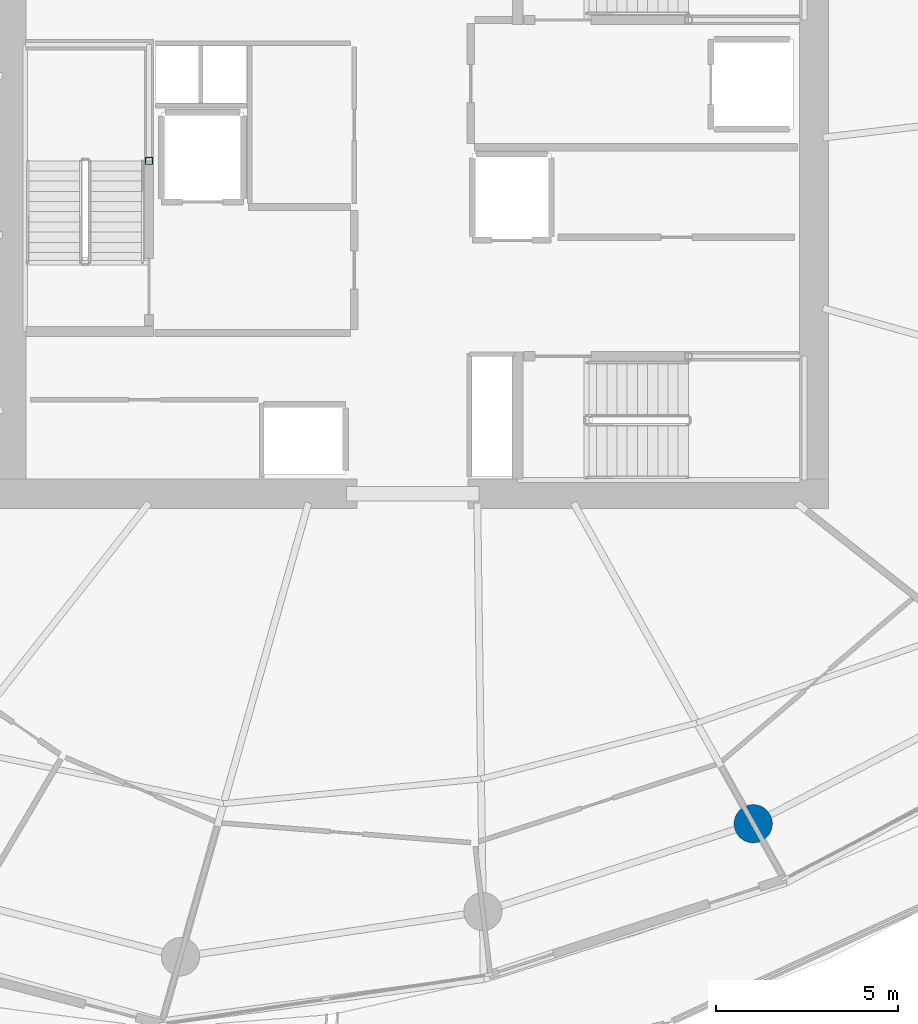
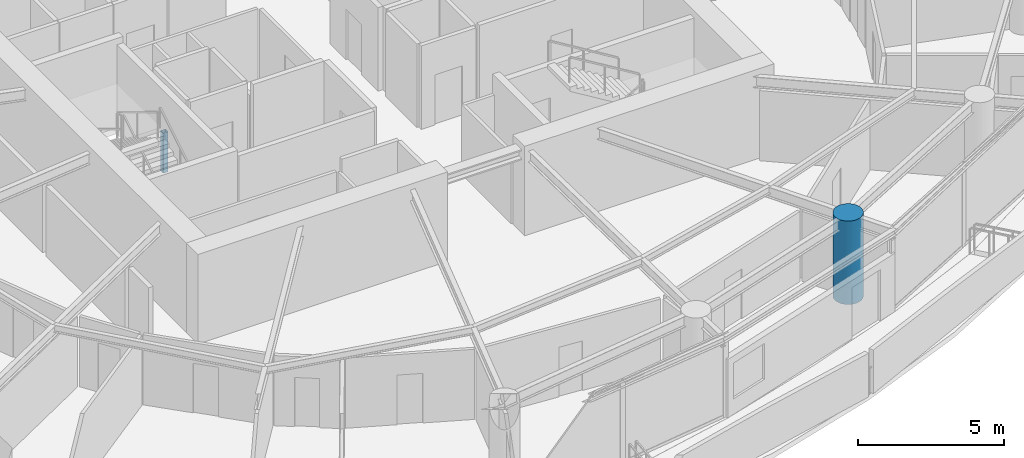
# One storey, part 2 of 20: 2 columns.
"""IFC4 building model written with IfcOpenShell, lengths in metres."""

import ifcopenshell
import ifcopenshell.guid

model = None  # the IFC model being written
_history = None  # IfcOwnerHistory: only IFC2X3 demands one
_inside = {}  # id of a spatial element -> (the spatial element, [elements in it])
_under = {}  # id of a project, library or spatial element -> (it, [spatial elements below it])
_declared = {}  # id of a project -> (the project, [libraries it declares])
_typed = {}  # id of a type object -> (the type object, [elements of that type])
_made_of = {}  # id of a material, layer set ... -> (it, [elements and type objects made of it])


def new_model(schema):
    """Start an empty IFC model of exactly this schema.

    Asked for "IFC4X3", IfcOpenShell would pick the latest addendum, in which some entities
    have other attributes; the version numbers below select the first issue.
    IFC2X3 requires an IfcOwnerHistory on every rooted entity: one is made here for all.
    """
    global model, _history
    if schema == "IFC4X3":
        model = ifcopenshell.file(schema_version=(4, 3, 0, 0))
    else:
        model = ifcopenshell.file(schema=schema)
    _inside.clear()
    _under.clear()
    _declared.clear()
    _typed.clear()
    _made_of.clear()
    _history = None
    if model.schema == "IFC2X3":
        org = make("IfcOrganization", Name="unknown")
        user = make(
            "IfcPersonAndOrganization",
            ThePerson=make("IfcPerson", FamilyName="unknown"),
            TheOrganization=org,
        )
        app = make(
            "IfcApplication",
            ApplicationDeveloper=org,
            Version="unknown",
            ApplicationFullName="unknown",
            ApplicationIdentifier="unknown",
        )
        _history = make(
            "IfcOwnerHistory",
            OwningUser=user,
            OwningApplication=app,
            ChangeAction="ADDED",
            CreationDate=0,
        )
    return model


def make(cls, **values):
    """One entity of the class cls with the attributes given. An attribute that is None is left unset."""
    return model.create_entity(
        cls, **{name: value for name, value in values.items() if value is not None}
    )


def rooted(cls, **values):
    """An entity with a GlobalId (a new one), such as an element, a storey or a relation."""
    return make(cls, GlobalId=ifcopenshell.guid.new(), OwnerHistory=_history, **values)


def si_unit(unit_type, name, prefix=None):
    """IfcSIUnit, for example si_unit("LENGTHUNIT", "METRE", prefix="MILLI")."""
    return make("IfcSIUnit", UnitType=unit_type, Prefix=prefix, Name=name)


def assignment(units):
    """IfcUnitAssignment: the units of a project."""
    return None if units is None else make("IfcUnitAssignment", Units=units)


def point(xyz):
    """IfcCartesianPoint."""
    return None if xyz is None else make("IfcCartesianPoint", Coordinates=xyz)


def direction(xyz):
    """IfcDirection."""
    return None if xyz is None else make("IfcDirection", DirectionRatios=xyz)


def frame(location, z_axis=None, x_axis=None):
    """IfcAxis2Placement3D, a coordinate frame: its origin and axes. An axis left out is left unset."""
    return make(
        "IfcAxis2Placement3D",
        Location=point(location),
        Axis=direction(z_axis),
        RefDirection=direction(x_axis),
    )


def frame_2d(location, x_axis=None):
    """IfcAxis2Placement2D, a coordinate frame in the plane: its origin and x axis."""
    return make(
        "IfcAxis2Placement2D", Location=point(location), RefDirection=direction(x_axis)
    )


def origin():
    """The frame at (0, 0, 0) with its axes left unset."""
    return frame((0.0, 0.0, 0.0))


def origin_2d():
    """The frame at (0, 0) in the plane with its x axis left unset."""
    return frame_2d((0.0, 0.0))


def place(relative_to, where):
    """IfcLocalPlacement: puts the frame where relative to a parent placement (None: the world)."""
    return make(
        "IfcLocalPlacement", PlacementRelTo=relative_to, RelativePlacement=where
    )


def context(
    kind, dimensions, precision=None, world=None, true_north=None, identifier=None
):
    """IfcGeometricRepresentationContext, for example the 3D "Model" context."""
    return make(
        "IfcGeometricRepresentationContext",
        ContextIdentifier=identifier,
        ContextType=kind,
        CoordinateSpaceDimension=dimensions,
        Precision=precision,
        WorldCoordinateSystem=world,
        TrueNorth=true_north,
    )


def subcontext(parent, identifier, kind, view, scale=None):
    """IfcGeometricRepresentationSubContext, for example "Body" below "Model"."""
    return make(
        "IfcGeometricRepresentationSubContext",
        ContextIdentifier=identifier,
        ContextType=kind,
        ParentContext=parent,
        TargetScale=scale,
        TargetView=view,
    )


def project(units=None, contexts=None):
    """IfcProject with its units and contexts."""
    return rooted(
        "IfcProject",
        Name="project",
        RepresentationContexts=contexts,
        UnitsInContext=assignment(units),
    )


def spatial(cls, under=None, at=None, **own):
    """A site, building, storey or space (cls), placed at a placement, below another one or the project."""
    s = rooted(cls, ObjectPlacement=at, **own)
    if under is not None:
        _under.setdefault(under.id(), (under, []))[1].append(s)
    return s


def profile(cls, at=None, kind="AREA", **sizes):
    """A parametric profile (cls). Its sizes go by their IFC names, for example OverallWidth=200.0."""
    return make(cls, ProfileType=kind, Position=at, **sizes)


def hollow_rectangle(**sizes):
    """IfcRectangleHollowProfileDef."""
    return profile("IfcRectangleHollowProfileDef", **sizes)


def circle(**sizes):
    """IfcCircleProfileDef."""
    return profile("IfcCircleProfileDef", **sizes)


def extrude(swept, where, along, depth):
    """IfcExtrudedAreaSolid: the profile swept, set in the frame where, extruded along a direction by depth."""
    return make(
        "IfcExtrudedAreaSolid",
        SweptArea=swept,
        Position=where,
        ExtrudedDirection=direction(along),
        Depth=depth,
    )


def shape(context_of_items, identifier, shape_type, items):
    """IfcShapeRepresentation: the items that make up one representation, for example the "Body"."""
    return make(
        "IfcShapeRepresentation",
        ContextOfItems=context_of_items,
        RepresentationIdentifier=identifier,
        RepresentationType=shape_type,
        Items=items,
    )


def material(Name=None, Category=None):
    """IfcMaterial."""
    return make("IfcMaterial", Name=Name, Category=Category)


def material_profile(
    of_material, cross_section, Name=None, Category=None, Priority=None
):
    """IfcMaterialProfile: a cross section and its material."""
    return make(
        "IfcMaterialProfile",
        Name=Name,
        Material=of_material,
        Profile=cross_section,
        Priority=Priority,
        Category=Category,
    )


def profile_set(profiles, Name=None, composite=None):
    """IfcMaterialProfileSet."""
    return make(
        "IfcMaterialProfileSet",
        Name=Name,
        MaterialProfiles=profiles,
        CompositeProfile=composite,
    )


def made_of(thing, what):
    """Note that an element or type object is made of a material, layer set ...; save() writes the relation."""
    if what is not None:
        _made_of.setdefault(what.id(), (what, []))[1].append(thing)
    return thing


def type_object(cls, material=None, **own):
    """A type object (cls), such as IfcWallType, which elements share."""
    return made_of(rooted(cls, **own), material)


def element(
    cls,
    number,
    at=None,
    inside=None,
    cuts=None,
    type_object=None,
    material=None,
    context=None,
    identifier="Body",
    shape_type=None,
    held_by="IfcProductDefinitionShape",
    body=None,
    shapes=None,
    **own,
):
    """One element of the class cls, such as IfcWall. Its Tag is "e" and its number.

    at: its placement. inside: the storey or other place that contains it. cuts: it is an
    opening in that element (IfcRelVoidsElement). A single representation is given by context,
    identifier, shape_type and body (its items); several are given by shapes. held_by: the class
    of the entity that holds the representations. save() writes the other relations.
    """
    e = rooted(cls, Tag="e%d" % number, ObjectPlacement=at, **own)
    if body is not None:
        shapes = [shape(context, identifier, shape_type, body)]
    if shapes is not None:
        e.Representation = make(held_by, Representations=shapes)
    if inside is not None:
        _inside.setdefault(inside.id(), (inside, []))[1].append(e)
    if cuts is not None:
        rooted(
            "IfcRelVoidsElement", RelatingBuildingElement=cuts, RelatedOpeningElement=e
        )
    if type_object is not None:
        _typed.setdefault(type_object.id(), (type_object, []))[1].append(e)
    return made_of(e, material)


def aggregate(whole, parts):
    """IfcRelAggregates: a whole, such as a stair, and the parts it consists of."""
    return rooted("IfcRelAggregates", RelatingObject=whole, RelatedObjects=parts)


def save(model, path):
    """Write the relations noted so far, then the file.

    IfcRelAggregates (storeys below a building ...), IfcRelContainedInSpatialStructure (elements
    in a storey), IfcRelDefinesByType, IfcRelAssociatesMaterial and IfcRelDeclares: one each for
    every whole, place, type object, material and project.
    """
    for whole, parts in _under.values():
        aggregate(whole, parts)
    for where, things in _inside.values():
        rooted(
            "IfcRelContainedInSpatialStructure",
            RelatedElements=things,
            RelatingStructure=where,
        )
    for kind, things in _typed.values():
        rooted("IfcRelDefinesByType", RelatedObjects=things, RelatingType=kind)
    for what, things in _made_of.values():
        rooted("IfcRelAssociatesMaterial", RelatedObjects=things, RelatingMaterial=what)
    for by, libraries in _declared.values():
        rooted("IfcRelDeclares", RelatingContext=by, RelatedDefinitions=libraries)
    model.write(path)


model = new_model("IFC4")

# Units and contexts
model_context = context("Model", 3, precision=1e-05, world=origin(), true_north=direction((0.0, 1.0)))
body_context = subcontext(model_context, "Body", "Model", "MODEL_VIEW")
ifc_project = project(units=[si_unit("LENGTHUNIT", "METRE"), si_unit("AREAUNIT", "SQUARE_METRE"), si_unit("VOLUMEUNIT", "CUBIC_METRE"), si_unit("PLANEANGLEUNIT", "RADIAN"), si_unit("MASSUNIT", "GRAM", prefix="KILO")], contexts=[model_context])

# Site, building, storey
site_placement = place(None, origin())
site = spatial("IfcSite", under=ifc_project, at=site_placement, CompositionType="ELEMENT")
building_placement = place(site_placement, origin())
building = spatial("IfcBuilding", under=site, at=building_placement, Name="Kazma Halo Residences", CompositionType="ELEMENT")
storey_placement = place(building_placement, frame((0.0, 0.0, 139.050048828125)))
storey = spatial("IfcBuildingStorey", under=building, at=storey_placement, Name="L34", CompositionType="ELEMENT", Elevation=139.050048828125)

# Columns
ifc_material_1 = material(Name="Steel S355", Category="steel")
ifc_material_profile_1 = material_profile(ifc_material_1, hollow_rectangle(XDim=0.199951171875, YDim=0.199951171875, WallThickness=0.010009765625, InnerFilletRadius=0.010009765625, OuterFilletRadius=0.02001953125, at=origin_2d()), Name="SHS200x200x10")
ifc_profile_set_1 = profile_set([ifc_material_profile_1], Name="Steel S355")
column_type_1 = type_object("IfcColumnType", Name="COL-LP-SHS200", PredefinedType="COLUMN", material=ifc_profile_set_1)
column_1_placement = place(storey_placement, frame((41.179931640625, 42.75, 0.0), z_axis=(0.0, 0.0, 1.0), x_axis=(1.0, 0.0, 0.0)))
element("IfcColumn", 1, at=column_1_placement, inside=storey, type_object=column_type_1, Name="L34 ST-01 landing pilaster 1", PredefinedType="COLUMN", context=body_context, shape_type="SweptSolid", body=[
    extrude(hollow_rectangle(XDim=0.199951171875, YDim=0.199951171875, WallThickness=0.010009765625, InnerFilletRadius=0.010009765625, OuterFilletRadius=0.02001953125, at=origin_2d()), origin(), (0.0, 0.0, 1.0), 1.669921875),
])
ifc_material_2 = material(Name="Concrete C80/95", Category="concrete")
ifc_material_profile_2 = material_profile(ifc_material_2, circle(Radius=0.52490234375, at=origin_2d()), Name="CIRC1050")
ifc_profile_set_2 = profile_set([ifc_material_profile_2], Name="Concrete C80/95")
column_type_2 = type_object("IfcColumnType", Name="COL-PERIM-1050", PredefinedType="COLUMN", material=ifc_profile_set_2)
column_2_placement = place(storey_placement, frame((57.781982421875, 24.53271484375, 0.0), z_axis=(0.0, 0.0, 1.0), x_axis=(1.0, 0.0, 0.0)))
element("IfcColumn", 2, at=column_2_placement, inside=storey, type_object=column_type_2, Name="L34 perimeter ring column P13", PredefinedType="COLUMN", context=body_context, shape_type="SweptSolid", body=[
    extrude(circle(Radius=0.52490234375, at=origin_2d()), origin(), (0.0, 0.0, 1.0), 3.5),
])

save(model, "model.ifc")
